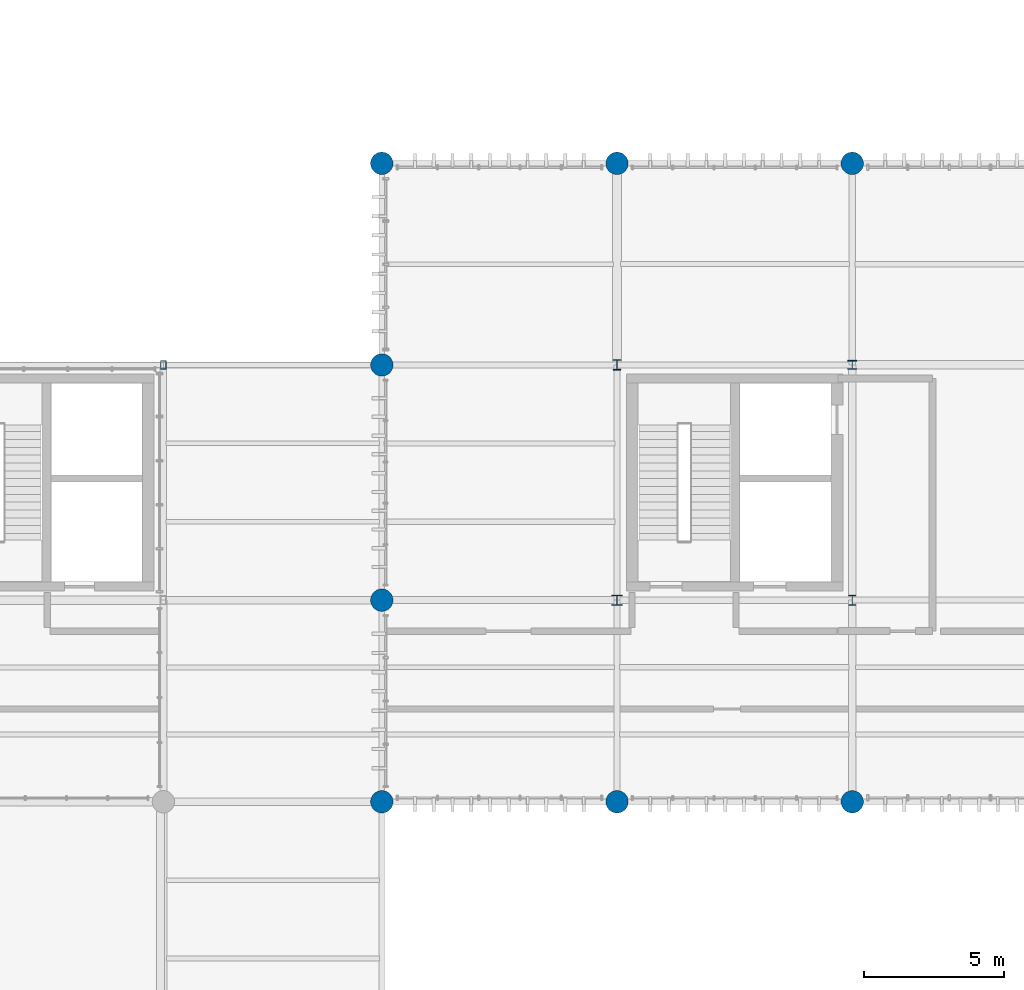
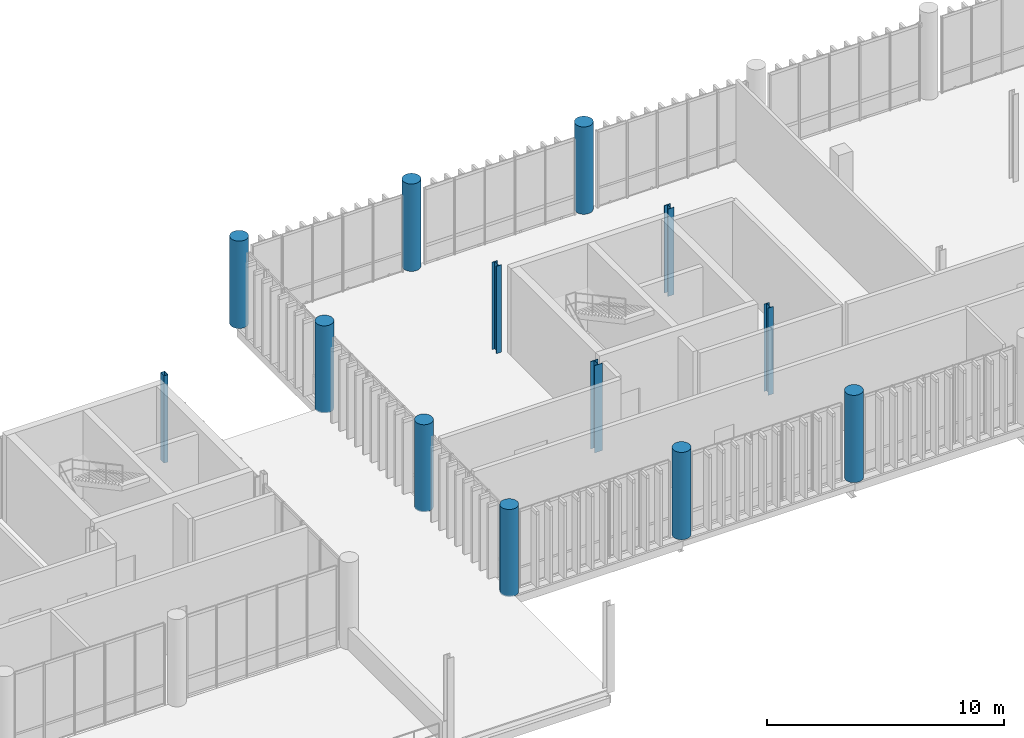
# One storey, part 3 of 68: 13 columns.
"""IFC4 building model written with IfcOpenShell, lengths in metres."""

from ifc_helpers import new_model, si_unit, direction, frame, origin_with_axes, origin_2d_with_axis, place, context, subcontext, project, spatial, hollow_rectangle, circle, i_section, extrude, material, material_profile, profile_set, type_object, element, save


model = new_model("IFC4")

# Units and contexts
model_context = context("Model", 3, precision=1e-05, world=origin_with_axes(), true_north=direction((0.0, 1.0)))
body_context = subcontext(model_context, "Body", "Model", "MODEL_VIEW")
ifc_project = project(units=[si_unit("LENGTHUNIT", "METRE"), si_unit("AREAUNIT", "SQUARE_METRE"), si_unit("VOLUMEUNIT", "CUBIC_METRE"), si_unit("PLANEANGLEUNIT", "RADIAN"), si_unit("MASSUNIT", "GRAM", prefix="KILO"), si_unit("THERMODYNAMICTEMPERATUREUNIT", "KELVIN")], contexts=[model_context])

# Site, building, storey
site_placement = place(None, origin_with_axes())
site = spatial("IfcSite", under=ifc_project, at=site_placement, CompositionType="ELEMENT")
building_placement = place(site_placement, origin_with_axes())
building = spatial("IfcBuilding", under=site, at=building_placement, Name="Montbau Bow Law Courts", CompositionType="ELEMENT")
storey_placement = place(building_placement, frame((0.0, 0.0, 20.4), z_axis=(0.0, 0.0, 1.0), x_axis=(1.0, 0.0, 0.0)))
storey = spatial("IfcBuildingStorey", under=building, at=storey_placement, Name="L04", CompositionType="ELEMENT", Elevation=20.4)

# Columns
ifc_material_1 = material(Name="Steel CSA G40.21 Grade 350WT (350 MPa)", Category="steel")
ifc_material_profile_1 = material_profile(ifc_material_1, hollow_rectangle(XDim=0.203, YDim=0.305, WallThickness=0.0127, InnerFilletRadius=0.0254, OuterFilletRadius=0.0127, at=origin_2d_with_axis()), Name="HSS305X203X13", Category="Main", Priority=0)
ifc_profile_set_1 = profile_set([ifc_material_profile_1], Name="Steel CSA G40.21 Grade 350WT (350 MPa)")
column_type_1 = type_object("IfcColumnType", Name="C-HSS-03", PredefinedType="COLUMN", material=ifc_profile_set_1)
column_1_placement = place(None, frame((39.0, 54.6, 20.4), z_axis=(0.0, 0.0, 1.0), x_axis=(1.0, 0.0, 0.0)))
element("IfcColumn", 1, at=column_1_placement, inside=storey, type_object=column_type_1, Name="C-L04-S0785:col2_0785", PredefinedType="COLUMN", context=body_context, shape_type="SweptSolid", body=[
    extrude(hollow_rectangle(XDim=0.203, YDim=0.305, WallThickness=0.0127, InnerFilletRadius=0.0254, OuterFilletRadius=0.0127, at=origin_2d_with_axis()), origin_with_axes(), (0.0, 0.0, 1.0), 4.5),
])
ifc_material_2 = material(Name="Concrete CSA A23.1 f'c 40 MPa", Category="concrete")
ifc_material_profile_2 = material_profile(ifc_material_2, circle(Radius=0.4, at=origin_2d_with_axis()), Name="RC800D", Category="Main", Priority=0)
ifc_profile_set_2 = profile_set([ifc_material_profile_2], Name="Concrete CSA A23.1 f'c 40 MPa")
column_type_2 = type_object("IfcColumnType", Name="C-RC-07", PredefinedType="COLUMN", material=ifc_profile_set_2)
for number, where, z_axis, x_axis, name in (
    (2, (46.8, 39.0, 20.4), (0.0, 0.0, 1.0), (1.0, 0.0, 0.0), "C-L04-S0787:col2_0787"),
    (3, (46.8, 46.2, 20.4), (0.0, 0.0, 1.0), (1.0, 0.0, 0.0), "C-L04-S0788:col2_0788"),
    (4, (46.8, 54.6, 20.4), (0.0, 0.0, 1.0), (1.0, 0.0, 0.0), "C-L04-S0789:col2_0789"),
    (5, (46.8, 61.8, 20.4), (0.0, 0.0, 1.0), (1.0, 0.0, 0.0), "C-L04-S0790:col2_0790"),
    (6, (55.2, 39.0, 20.4), (0.0, 0.0, 1.0), (1.0, 0.0, 0.0), "C-L04-S0791:col2_0791"),
    (7, (55.2, 61.8, 20.4), (0.0, 0.0, 1.0), (1.0, 0.0, 0.0), "C-L04-S0794:col2_0794"),
    (8, (63.6, 39.0, 20.4), (0.0, 0.0, 1.0), (1.0, 0.0, 0.0), "C-L04-S0795:col2_0795"),
    (9, (63.6, 61.8, 20.4), (0.0, 0.0, 1.0), (1.0, 0.0, 0.0), "C-L04-S0798:col2_0798"),
):
    element("IfcColumn", number, at=place(None, frame(where, z_axis=z_axis, x_axis=x_axis)), inside=storey, type_object=column_type_2, Name=name, PredefinedType="COLUMN", context=body_context, shape_type="SweptSolid", body=[
        extrude(circle(Radius=0.4, at=origin_2d_with_axis()), origin_with_axes(), (0.0, 0.0, 1.0), 4.5),
    ])
ifc_material_3 = material(Name="Steel CSA G40.21 Grade 350W (350 MPa)", Category="steel")
ifc_material_profile_3 = material_profile(ifc_material_3, i_section(OverallWidth=0.373, OverallDepth=0.368, WebThickness=0.015, FlangeThickness=0.0239, at=origin_2d_with_axis()), Name="W360X179", Category="Main", Priority=0)
ifc_profile_set_3 = profile_set([ifc_material_profile_3], Name="Steel CSA G40.21 Grade 350W (350 MPa)")
column_type_3 = type_object("IfcColumnType", Name="C-STL-04", PredefinedType="COLUMN", material=ifc_profile_set_3)
column_2_placement = place(None, frame((55.2, 46.2, 20.4), z_axis=(0.0, 0.0, 1.0), x_axis=(1.0, 0.0, 0.0)))
element("IfcColumn", 10, at=column_2_placement, inside=storey, type_object=column_type_3, Name="C-L04-S0792:col2_0792", PredefinedType="COLUMN", context=body_context, shape_type="SweptSolid", body=[
    extrude(i_section(OverallWidth=0.373, OverallDepth=0.368, WebThickness=0.015, FlangeThickness=0.0239, at=origin_2d_with_axis()), origin_with_axes(), (0.0, 0.0, 1.0), 4.5),
])
ifc_material_profile_4 = material_profile(ifc_material_3, i_section(OverallWidth=0.257, OverallDepth=0.363, WebThickness=0.013, FlangeThickness=0.0217, at=origin_2d_with_axis()), Name="W360X122", Category="Main", Priority=0)
ifc_profile_set_4 = profile_set([ifc_material_profile_4], Name="Steel CSA G40.21 Grade 350W (350 MPa)")
column_type_4 = type_object("IfcColumnType", Name="C-STL-05", PredefinedType="COLUMN", material=ifc_profile_set_4)
for number, where, z_axis, x_axis, name in (
    (11, (55.2, 54.6, 20.4), (0.0, 0.0, 1.0), (1.0, 0.0, 0.0), "C-L04-S0793:col2_0793"),
    (12, (63.6, 46.2, 20.4), (0.0, 0.0, 1.0), (1.0, 0.0, 0.0), "C-L04-S0796:col2_0796"),
):
    element("IfcColumn", number, at=place(None, frame(where, z_axis=z_axis, x_axis=x_axis)), inside=storey, type_object=column_type_4, Name=name, PredefinedType="COLUMN", context=body_context, shape_type="SweptSolid", body=[
        extrude(i_section(OverallWidth=0.257, OverallDepth=0.363, WebThickness=0.013, FlangeThickness=0.0217, at=origin_2d_with_axis()), origin_with_axes(), (0.0, 0.0, 1.0), 4.5),
    ])
ifc_material_profile_5 = material_profile(ifc_material_3, i_section(OverallWidth=0.309, OverallDepth=0.323, WebThickness=0.014, FlangeThickness=0.0229, at=origin_2d_with_axis()), Name="W310X143", Category="Main", Priority=0)
ifc_profile_set_5 = profile_set([ifc_material_profile_5], Name="Steel CSA G40.21 Grade 350W (350 MPa)")
column_type_5 = type_object("IfcColumnType", Name="C-STL-06", PredefinedType="COLUMN", material=ifc_profile_set_5)
column_3_placement = place(None, frame((63.6, 54.6, 20.4), z_axis=(0.0, 0.0, 1.0), x_axis=(1.0, 0.0, 0.0)))
element("IfcColumn", 13, at=column_3_placement, inside=storey, type_object=column_type_5, Name="C-L04-S0797:col2_0797", PredefinedType="COLUMN", context=body_context, shape_type="SweptSolid", body=[
    extrude(i_section(OverallWidth=0.309, OverallDepth=0.323, WebThickness=0.014, FlangeThickness=0.0229, at=origin_2d_with_axis()), origin_with_axes(), (0.0, 0.0, 1.0), 4.5),
])

save(model, "model.ifc")
